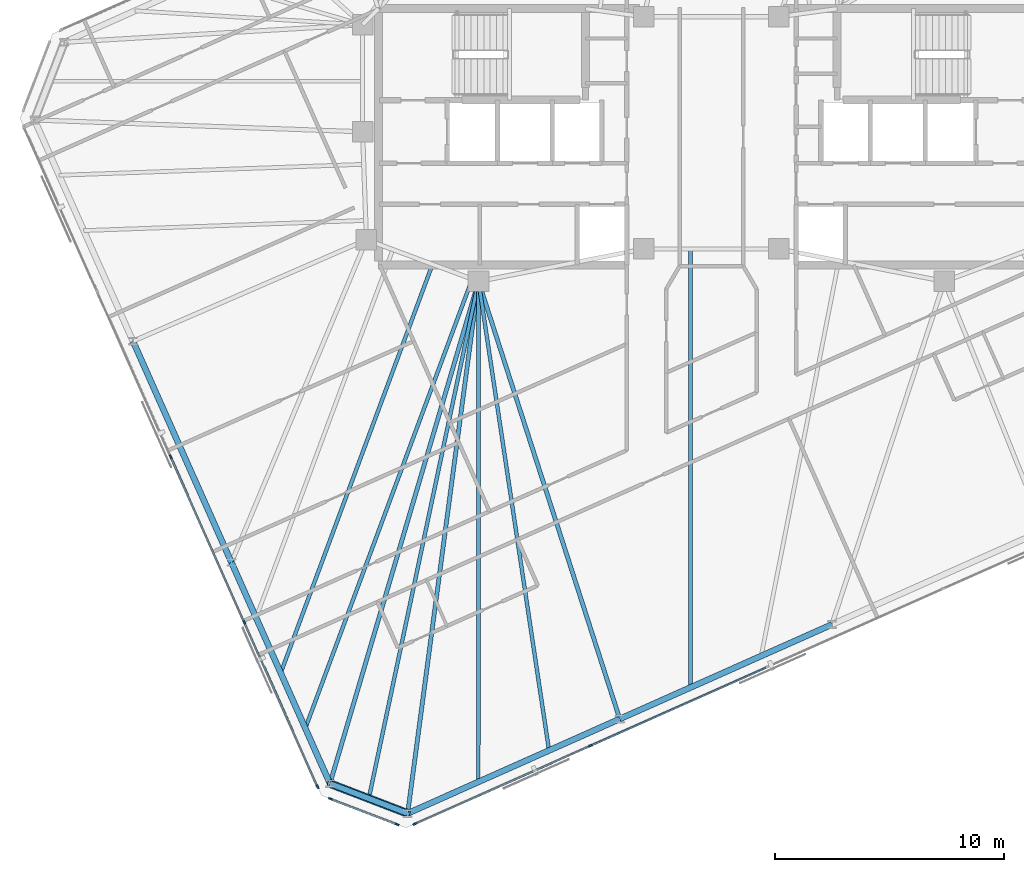
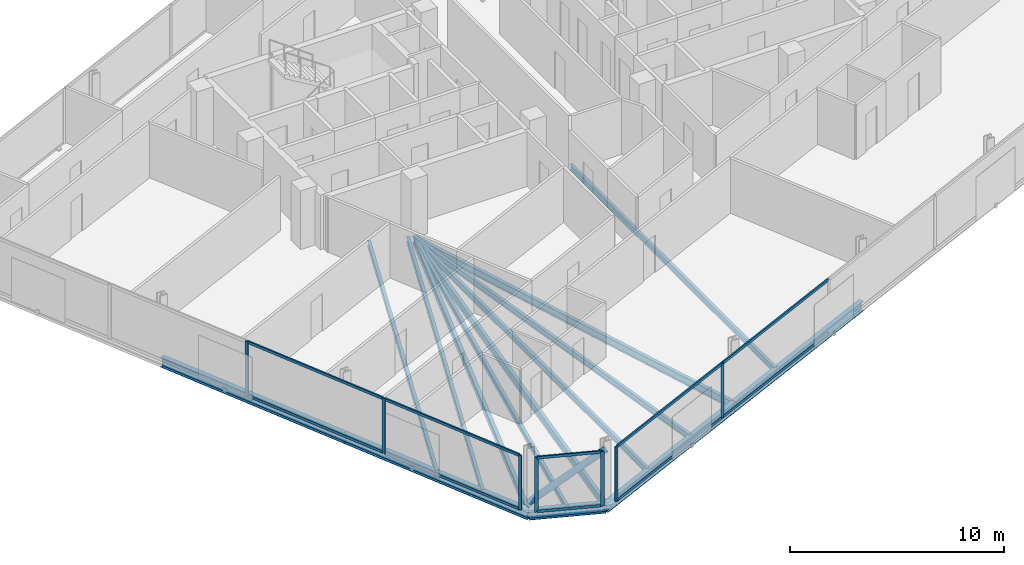
# One storey, part 5 of 18: 18 members, 14 beams, 3 elements without a shape of their own.
"""IFC4 building model written with IfcOpenShell, lengths in metres."""

from ifc_helpers import new_model, si_unit, direction, frame, origin, origin_2d, place, context, subcontext, project, spatial, rectangle, hollow_circle, i_section, extrude, material, material_profile, profile_set, type_object, element, aggregate, save


model = new_model("IFC4")

# Units and contexts
model_context = context("Model", 3, precision=1e-05, world=origin(), true_north=direction((0.0, 1.0)))
body_context = subcontext(model_context, "Body", "Model", "MODEL_VIEW")
ifc_project = project(units=[si_unit("LENGTHUNIT", "METRE"), si_unit("AREAUNIT", "SQUARE_METRE"), si_unit("VOLUMEUNIT", "CUBIC_METRE"), si_unit("PLANEANGLEUNIT", "RADIAN"), si_unit("MASSUNIT", "GRAM", prefix="KILO")], contexts=[model_context])

# Site, building, storey
site_placement = place(None, origin())
site = spatial("IfcSite", under=ifc_project, at=site_placement, CompositionType="ELEMENT")
building_placement = place(site_placement, origin())
building = spatial("IfcBuilding", under=site, at=building_placement, Name="Menara Jurai Vektor", CompositionType="ELEMENT")
storey_placement = place(building_placement, frame((0.0, 0.0, 285.25)))
storey = spatial("IfcBuildingStorey", under=building, at=storey_placement, Name="L76", CompositionType="ELEMENT", Elevation=285.25)

# Curtain wall, members
ifc_material_1 = material(Name="Anodised Pale Aluminium & Low-E Double Glazing", Category="aluminium")
curtain_wall_type = type_object("IfcCurtainWallType", Name="CW-BLK5", PredefinedType="NOTDEFINED", material=ifc_material_1)
curtain_wall_1_placement = place(storey_placement, origin())
curtain_wall_1 = element("IfcCurtainWall", 1, at=curtain_wall_1_placement, inside=storey, type_object=curtain_wall_type, Name="Unitised Curtain Wall L76 F01", PredefinedType="NOTDEFINED")
ifc_material_2 = material(Name="Anodised Pale Aluminium Mullion", Category="aluminium")
ifc_material_profile_1 = material_profile(ifc_material_2, rectangle(XDim=0.074951171875, YDim=0.175048828125, at=origin_2d()), Name="ALU MUL 75x175")
ifc_profile_set_1 = profile_set([ifc_material_profile_1], Name="Anodised Pale Aluminium Mullion")
member_type_1 = type_object("IfcMemberType", Name="CW-BLK5-MUL", PredefinedType="MULLION", material=ifc_profile_set_1)
member_1_placement = place(storey_placement, frame((-12.96875, -30.04052734375, 0.0), z_axis=(0.0, 0.0, 1.0), x_axis=(-0.406735498684, 0.913545967158, 0.0)))
member_1 = element("IfcMember", 2, at=member_1_placement, type_object=member_type_1, Name="CW-05 mullion 1", PredefinedType="MULLION", context=body_context, shape_type="SweptSolid", body=[
    extrude(rectangle(XDim=0.074951171875, YDim=0.175048828125, at=origin_2d()), origin(), (0.0, 0.0, 1.0), 3.125),
])
member_2_placement = place(storey_placement, frame((-5.292724609375, -26.623046875, 0.0), z_axis=(0.0, 0.0, 1.0), x_axis=(-0.406735498684, 0.913545967158, 0.0)))
member_2 = element("IfcMember", 3, at=member_2_placement, type_object=member_type_1, Name="CW-05 mullion 2", PredefinedType="MULLION", context=body_context, shape_type="SweptSolid", body=[
    extrude(rectangle(XDim=0.074951171875, YDim=0.175048828125, at=origin_2d()), origin(), (0.0, 0.0, 1.0), 3.125),
])

curtain_wall_2_placement = place(storey_placement, origin())
curtain_wall_2 = element("IfcCurtainWall", 4, at=curtain_wall_2_placement, inside=storey, type_object=curtain_wall_type, Name="Unitised Curtain Wall L76 F07", PredefinedType="NOTDEFINED")
member_3_placement = place(storey_placement, frame((-23.635986328125, -13.991943359375, 0.0), z_axis=(0.0, 0.0, 1.0), x_axis=(0.913546127706, 0.406735138086, 0.0)))
member_3 = element("IfcMember", 5, at=member_3_placement, type_object=member_type_1, Name="CW-05 mullion 3", PredefinedType="MULLION", context=body_context, shape_type="SweptSolid", body=[
    extrude(rectangle(XDim=0.074951171875, YDim=0.175048828125, at=origin_2d()), origin(), (0.0, 0.0, 1.0), 3.125),
])
member_4_placement = place(storey_placement, frame((-20.418701171875, -21.21826171875, 0.0), z_axis=(0.0, 0.0, 1.0), x_axis=(0.913546127706, 0.406735138086, 0.0)))
member_4 = element("IfcMember", 6, at=member_4_placement, type_object=member_type_1, Name="CW-05 mullion 4", PredefinedType="MULLION", context=body_context, shape_type="SweptSolid", body=[
    extrude(rectangle(XDim=0.074951171875, YDim=0.175048828125, at=origin_2d()), origin(), (0.0, 0.0, 1.0), 3.125),
])
member_5_placement = place(storey_placement, frame((-17.216796875, -28.41015625, 0.0), z_axis=(0.0, 0.0, 1.0), x_axis=(0.913546127706, 0.406735138086, 0.0)))
member_5 = element("IfcMember", 7, at=member_5_placement, type_object=member_type_1, Name="CW-05 mullion 5", PredefinedType="MULLION", context=body_context, shape_type="SweptSolid", body=[
    extrude(rectangle(XDim=0.074951171875, YDim=0.175048828125, at=origin_2d()), origin(), (0.0, 0.0, 1.0), 3.125),
])

curtain_wall_3_placement = place(storey_placement, origin())
curtain_wall_3 = element("IfcCurtainWall", 8, at=curtain_wall_3_placement, inside=storey, type_object=curtain_wall_type, Name="Unitised Curtain Wall L76 F08", PredefinedType="NOTDEFINED")
member_6_placement = place(storey_placement, frame((-16.656982421875, -28.94091796875, 0.0), z_axis=(0.0, 0.0, 1.0), x_axis=(0.358373766287, 0.933578193639, 0.0)))
member_6 = element("IfcMember", 9, at=member_6_placement, type_object=member_type_1, Name="CW-05 mullion 1", PredefinedType="MULLION", context=body_context, shape_type="SweptSolid", body=[
    extrude(rectangle(XDim=0.074951171875, YDim=0.175048828125, at=origin_2d()), origin(), (0.0, 0.0, 1.0), 3.125),
])
member_7_placement = place(storey_placement, frame((-13.739990234375, -30.060791015625, 0.0), z_axis=(0.0, 0.0, 1.0), x_axis=(0.358373766287, 0.933578193639, 0.0)))
member_7 = element("IfcMember", 10, at=member_7_placement, type_object=member_type_1, Name="CW-05 mullion 2", PredefinedType="MULLION", context=body_context, shape_type="SweptSolid", body=[
    extrude(rectangle(XDim=0.074951171875, YDim=0.175048828125, at=origin_2d()), origin(), (0.0, 0.0, 1.0), 3.125),
])

# Member
ifc_material_3 = material(Name="Anodised Pale Aluminium Transom", Category="aluminium")
ifc_material_profile_2 = material_profile(ifc_material_3, rectangle(XDim=0.074951171875, YDim=0.155029296875, at=origin_2d()), Name="ALU TRN 75x155")
ifc_profile_set_2 = profile_set([ifc_material_profile_2], Name="Anodised Pale Aluminium Transom")
member_type_2 = type_object("IfcMemberType", Name="CW-BLK5-TRN", PredefinedType="USERDEFINED", material=ifc_profile_set_2)
member_8_placement = place(storey_placement, frame((-12.9345703125, -30.025390625, 0.03759765625), z_axis=(0.913542963736, 0.406742244436, 0.0), x_axis=(-0.406742244436, 0.913542963736, 0.0)))
member_8 = element("IfcMember", 11, at=member_8_placement, type_object=member_type_2, Name="CW-05 transom 1.1", ObjectType="TRANSOM", PredefinedType="USERDEFINED", context=body_context, shape_type="SweptSolid", body=[
    extrude(rectangle(XDim=0.074951171875, YDim=0.155029296875, at=origin_2d()), origin(), (0.0, 0.0, 1.0), 8.32763671875),
])

member_9_placement = place(storey_placement, frame((-12.9345703125, -30.025390625, 3.08740234375), z_axis=(0.913542963736, 0.406742244436, 0.0), x_axis=(-0.406742244436, 0.913542963736, 0.0)))
member_9 = element("IfcMember", 12, at=member_9_placement, type_object=member_type_2, Name="CW-05 transom 1.2", ObjectType="TRANSOM", PredefinedType="USERDEFINED", context=body_context, shape_type="SweptSolid", body=[
    extrude(rectangle(XDim=0.074951171875, YDim=0.155029296875, at=origin_2d()), origin(), (0.0, 0.0, 1.0), 8.32763671875),
])

member_10_placement = place(storey_placement, frame((-5.25830078125, -26.60791015625, 0.03759765625), z_axis=(0.913541747007, 0.406744977198, 0.0), x_axis=(-0.406744977198, 0.913541747007, 0.0)))
member_10 = element("IfcMember", 13, at=member_10_placement, type_object=member_type_2, Name="CW-05 transom 2.1", ObjectType="TRANSOM", PredefinedType="USERDEFINED", context=body_context, shape_type="SweptSolid", body=[
    extrude(rectangle(XDim=0.074951171875, YDim=0.155029296875, at=origin_2d()), origin(), (0.0, 0.0, 1.0), 8.36474609375),
])

member_11_placement = place(storey_placement, frame((-5.25830078125, -26.60791015625, 3.08740234375), z_axis=(0.913541747007, 0.406744977198, 0.0), x_axis=(-0.406744977198, 0.913541747007, 0.0)))
member_11 = element("IfcMember", 14, at=member_11_placement, type_object=member_type_2, Name="CW-05 transom 2.2", ObjectType="TRANSOM", PredefinedType="USERDEFINED", context=body_context, shape_type="SweptSolid", body=[
    extrude(rectangle(XDim=0.074951171875, YDim=0.155029296875, at=origin_2d()), origin(), (0.0, 0.0, 1.0), 8.36474609375),
])

aggregate(curtain_wall_1, [member_1, member_2, member_8, member_9, member_10, member_11])

member_12_placement = place(storey_placement, frame((-23.620849609375, -14.0263671875, 0.03759765625), z_axis=(0.40674264085, -0.913542787238, 0.0), x_axis=(0.913542787238, 0.40674264085, 0.0)))
member_12 = element("IfcMember", 15, at=member_12_placement, type_object=member_type_2, Name="CW-05 transom 3.1", ObjectType="TRANSOM", PredefinedType="USERDEFINED", context=body_context, shape_type="SweptSolid", body=[
    extrude(rectangle(XDim=0.074951171875, YDim=0.155029296875, at=origin_2d()), origin(), (0.0, 0.0, 1.0), 7.8349609375),
])

member_13_placement = place(storey_placement, frame((-23.620849609375, -14.0263671875, 3.08740234375), z_axis=(0.40674264085, -0.913542787238, 0.0), x_axis=(0.913542787238, 0.40674264085, 0.0)))
member_13 = element("IfcMember", 16, at=member_13_placement, type_object=member_type_2, Name="CW-05 transom 3.2", ObjectType="TRANSOM", PredefinedType="USERDEFINED", context=body_context, shape_type="SweptSolid", body=[
    extrude(rectangle(XDim=0.074951171875, YDim=0.155029296875, at=origin_2d()), origin(), (0.0, 0.0, 1.0), 7.8349609375),
])

member_14_placement = place(storey_placement, frame((-20.403564453125, -21.25244140625, 0.03759765625), z_axis=(0.406751345283, -0.913538911656, 0.0), x_axis=(0.913538911656, 0.406751345283, 0.0)))
member_14 = element("IfcMember", 17, at=member_14_placement, type_object=member_type_2, Name="CW-05 transom 4.1", ObjectType="TRANSOM", PredefinedType="USERDEFINED", context=body_context, shape_type="SweptSolid", body=[
    extrude(rectangle(XDim=0.074951171875, YDim=0.155029296875, at=origin_2d()), origin(), (0.0, 0.0, 1.0), 7.79736328125),
])

member_15_placement = place(storey_placement, frame((-20.403564453125, -21.25244140625, 3.08740234375), z_axis=(0.406751345283, -0.913538911656, 0.0), x_axis=(0.913538911656, 0.406751345283, 0.0)))
member_15 = element("IfcMember", 18, at=member_15_placement, type_object=member_type_2, Name="CW-05 transom 4.2", ObjectType="TRANSOM", PredefinedType="USERDEFINED", context=body_context, shape_type="SweptSolid", body=[
    extrude(rectangle(XDim=0.074951171875, YDim=0.155029296875, at=origin_2d()), origin(), (0.0, 0.0, 1.0), 7.79736328125),
])

aggregate(curtain_wall_2, [member_3, member_4, member_5, member_12, member_13, member_14, member_15])

member_16_placement = place(storey_placement, frame((-16.6220703125, -28.95458984375, 0.03759765625), z_axis=(0.933597094911, -0.358324523823, 0.0), x_axis=(0.358324523823, 0.933597094911, 0.0)))
member_16 = element("IfcMember", 19, at=member_16_placement, type_object=member_type_2, Name="CW-05 transom 1.1", ObjectType="TRANSOM", PredefinedType="USERDEFINED", context=body_context, shape_type="SweptSolid", body=[
    extrude(rectangle(XDim=0.074951171875, YDim=0.155029296875, at=origin_2d()), origin(), (0.0, 0.0, 1.0), 3.049560546875),
])

member_17_placement = place(storey_placement, frame((-16.6220703125, -28.95458984375, 3.08740234375), z_axis=(0.933597094911, -0.358324523823, 0.0), x_axis=(0.358324523823, 0.933597094911, 0.0)))
member_17 = element("IfcMember", 20, at=member_17_placement, type_object=member_type_2, Name="CW-05 transom 1.2", ObjectType="TRANSOM", PredefinedType="USERDEFINED", context=body_context, shape_type="SweptSolid", body=[
    extrude(rectangle(XDim=0.074951171875, YDim=0.155029296875, at=origin_2d()), origin(), (0.0, 0.0, 1.0), 3.049560546875),
])

aggregate(curtain_wall_3, [member_6, member_7, member_16, member_17])

# Beams
ifc_material_4 = material(Name="Steel S355", Category="steel")
ifc_material_profile_3 = material_profile(ifc_material_4, i_section(OverallWidth=0.18505859375, OverallDepth=0.429931640625, WebThickness=0.010986328125, FlangeThickness=0.01806640625, at=origin_2d()), Name="PG 430x185x76")
ifc_profile_set_3 = profile_set([ifc_material_profile_3], Name="Steel S355")
beam_type_1 = type_object("IfcBeamType", Name="STR-BM-430", PredefinedType="BEAM", material=ifc_profile_set_3)
beam_1_placement = place(storey_placement, frame((-13.279541015625, -29.576904296875, -0.43994140625), z_axis=(0.132109192855, 0.991235169454, 0.0), x_axis=(-0.991235169454, 0.132109192855, 0.0)))
element("IfcBeam", 21, at=beam_1_placement, inside=storey, type_object=beam_type_1, Name="Radial Floor Girder L76-S1", PredefinedType="BEAM", context=body_context, shape_type="SweptSolid", body=[
    extrude(i_section(OverallWidth=0.18505859375, OverallDepth=0.429931640625, WebThickness=0.010986328125, FlangeThickness=0.01806640625, at=origin_2d()), origin(), (0.0, 0.0, 1.0), 23.46240234375),
])
beam_2_placement = place(storey_placement, frame((-4.006103515625, -25.4482421875, -0.43994140625), z_axis=(-0.307158217721, 0.95165846252, 0.0), x_axis=(-0.95165846252, -0.307158217721, 0.0)))
element("IfcBeam", 22, at=beam_2_placement, inside=storey, type_object=beam_type_1, Name="Radial Floor Girder L76-S2", PredefinedType="BEAM", context=body_context, shape_type="SweptSolid", body=[
    extrude(i_section(OverallWidth=0.18505859375, OverallDepth=0.429931640625, WebThickness=0.010986328125, FlangeThickness=0.01806640625, at=origin_2d()), origin(), (0.0, 0.0, 1.0), 20.099853515625),
])
beam_3_placement = place(storey_placement, frame((-16.675537109375, -28.2734375, -0.43994140625), z_axis=(0.283723047838, 0.958906268686, 0.0), x_axis=(-0.958906268686, 0.283723047838, 0.0)))
element("IfcBeam", 23, at=beam_3_placement, inside=storey, type_object=beam_type_1, Name="Radial Floor Girder L76-W4", PredefinedType="BEAM", context=body_context, shape_type="SweptSolid", body=[
    extrude(i_section(OverallWidth=0.18505859375, OverallDepth=0.429931640625, WebThickness=0.010986328125, FlangeThickness=0.01806640625, at=origin_2d()), origin(), (0.0, 0.0, 1.0), 22.894287109375),
])

# Member
ifc_material_5 = material(Name="Steel S460", Category="steel")
ifc_material_profile_4 = material_profile(ifc_material_5, hollow_circle(Radius=0.177734375, WallThickness=0.01611328125, at=origin_2d()), Name="CHS 355.6x16")
ifc_profile_set_4 = profile_set([ifc_material_profile_4], Name="Steel S460")
member_type_3 = type_object("IfcMemberType", Name="STR-BR-356", PredefinedType="BRACE", material=ifc_profile_set_4)
member_18_placement = place(storey_placement, frame((-16.675537109375, -28.2734375, 0.14990234375), z_axis=(0.757054002265, -0.290575939475, 0.585179340931), x_axis=(0.358335850414, 0.933592747566, 0.0)))
element("IfcMember", 24, at=member_18_placement, inside=storey, type_object=member_type_3, Name="Exoskeleton Corner Brace L76-4", PredefinedType="BRACE", context=body_context, shape_type="SweptSolid", body=[
    extrude(hollow_circle(Radius=0.177734375, WallThickness=0.01611328125, at=origin_2d()), origin(), (0.0, 0.0, 1.0), 4.48583984375),
])

# Beams
ifc_material_profile_5 = material_profile(ifc_material_4, i_section(OverallWidth=0.1650390625, OverallDepth=0.330078125, WebThickness=0.009033203125, FlangeThickness=0.013916015625, at=origin_2d()), Name="PG 330x165x46")
ifc_profile_set_5 = profile_set([ifc_material_profile_5], Name="Steel S355")
beam_type_2 = type_object("IfcBeamType", Name="STR-JS-330", PredefinedType="JOIST", material=ifc_profile_set_5)
beam_4_placement = place(storey_placement, frame((-10.188232421875, -28.20068359375, -0.389892578125), z_axis=(0.000379366876, 0.99999992804, 0.0), x_axis=(-0.99999992804, 0.000379366876, 0.0)))
element("IfcBeam", 25, at=beam_4_placement, inside=storey, type_object=beam_type_2, Name="Radial Secondary Floor Joist L76-JS01", PredefinedType="JOIST", context=body_context, shape_type="SweptSolid", body=[
    extrude(i_section(OverallWidth=0.1650390625, OverallDepth=0.330078125, WebThickness=0.009033203125, FlangeThickness=0.013916015625, at=origin_2d()), origin(), (0.0, 0.0, 1.0), 21.880615234375),
])
beam_5_placement = place(storey_placement, frame((-7.09716796875, -26.824462890625, -0.389892578125), z_axis=(-0.148675540239, 0.988886031722, 0.0), x_axis=(-0.988886031722, -0.148675540239, 0.0)))
element("IfcBeam", 26, at=beam_5_placement, inside=storey, type_object=beam_type_2, Name="Radial Secondary Floor Joist L76-JS02", PredefinedType="JOIST", context=body_context, shape_type="SweptSolid", body=[
    extrude(i_section(OverallWidth=0.1650390625, OverallDepth=0.330078125, WebThickness=0.009033203125, FlangeThickness=0.013916015625, at=origin_2d()), origin(), (0.0, 0.0, 1.0), 20.73486328125),
])
beam_6_placement = place(storey_placement, frame((-0.914794921875, -24.072021484375, -0.389892578125), z_axis=(0.0, 1.0, 0.0), x_axis=(-1.0, 0.0, 0.0)))
element("IfcBeam", 27, at=beam_6_placement, inside=storey, type_object=beam_type_2, Name="Radial Secondary Floor Joist L76-JS03", PredefinedType="JOIST", context=body_context, shape_type="SweptSolid", body=[
    extrude(i_section(OverallWidth=0.1650390625, OverallDepth=0.330078125, WebThickness=0.009033203125, FlangeThickness=0.013916015625, at=origin_2d()), origin(), (0.0, 0.0, 1.0), 19.172119140625),
])
beam_7_placement = place(storey_placement, frame((-18.828125, -23.4384765625, -0.389892578125), z_axis=(0.348177845571, 0.937428497462, 0.0), x_axis=(-0.937428497462, 0.348177845571, 0.0)))
element("IfcBeam", 28, at=beam_7_placement, inside=storey, type_object=beam_type_2, Name="Radial Secondary Floor Joist L76-JS29", PredefinedType="JOIST", context=body_context, shape_type="SweptSolid", body=[
    extrude(i_section(OverallWidth=0.1650390625, OverallDepth=0.330078125, WebThickness=0.009033203125, FlangeThickness=0.013916015625, at=origin_2d()), origin(), (0.0, 0.0, 1.0), 19.05859375),
])
beam_8_placement = place(storey_placement, frame((-17.751953125, -25.85595703125, -0.389892578125), z_axis=(0.348185651823, 0.937425598042, 0.0), x_axis=(-0.937425598042, 0.348185651823, 0.0)))
element("IfcBeam", 29, at=beam_8_placement, inside=storey, type_object=beam_type_2, Name="Radial Secondary Floor Joist L76-JS30", PredefinedType="JOIST", context=body_context, shape_type="SweptSolid", body=[
    extrude(i_section(OverallWidth=0.1650390625, OverallDepth=0.330078125, WebThickness=0.009033203125, FlangeThickness=0.013916015625, at=origin_2d()), origin(), (0.0, 0.0, 1.0), 20.949951171875),
])
beam_9_placement = place(storey_placement, frame((-14.9775390625, -28.92529296875, -0.389892578125), z_axis=(0.207610208592, 0.978211634202, 0.0), x_axis=(-0.978211634202, 0.207610208592, 0.0)))
element("IfcBeam", 30, at=beam_9_placement, inside=storey, type_object=beam_type_2, Name="Radial Secondary Floor Joist L76-JS31", PredefinedType="JOIST", context=body_context, shape_type="SweptSolid", body=[
    extrude(i_section(OverallWidth=0.1650390625, OverallDepth=0.330078125, WebThickness=0.009033203125, FlangeThickness=0.013916015625, at=origin_2d()), origin(), (0.0, 0.0, 1.0), 23.108642578125),
])
ifc_material_profile_6 = material_profile(ifc_material_4, i_section(OverallWidth=0.260009765625, OverallDepth=0.570068359375, WebThickness=0.013916015625, FlangeThickness=0.02392578125, at=origin_2d()), Name="PG 570x260x145")
ifc_profile_set_6 = profile_set([ifc_material_profile_6], Name="Steel S355")
beam_type_3 = type_object("IfcBeamType", Name="STR-SP-570", PredefinedType="SPANDREL", material=ifc_profile_set_6)
beam_10_placement = place(storey_placement, frame((-13.279541015625, -29.576904296875, -0.510009765625), z_axis=(0.913550519143, 0.406725274569, 0.0), x_axis=(-0.406725274569, 0.913550519143, 0.0)))
element("IfcBeam", 31, at=beam_10_placement, inside=storey, type_object=beam_type_3, Name="Exoskeleton Spandrel Beam L76-01", PredefinedType="SPANDREL", context=body_context, shape_type="SweptSolid", body=[
    extrude(i_section(OverallWidth=0.260009765625, OverallDepth=0.570068359375, WebThickness=0.013916015625, FlangeThickness=0.02392578125, at=origin_2d()), origin(), (0.0, 0.0, 1.0), 10.15087890625),
])
beam_11_placement = place(storey_placement, frame((-4.006103515625, -25.4482421875, -0.510009765625), z_axis=(0.913545561407, 0.406736410017, 0.0), x_axis=(-0.406736410017, 0.913545561407, 0.0)))
element("IfcBeam", 32, at=beam_11_placement, inside=storey, type_object=beam_type_3, Name="Exoskeleton Spandrel Beam L76-02", PredefinedType="SPANDREL", context=body_context, shape_type="SweptSolid", body=[
    extrude(i_section(OverallWidth=0.260009765625, OverallDepth=0.570068359375, WebThickness=0.013916015625, FlangeThickness=0.02392578125, at=origin_2d()), origin(), (0.0, 0.0, 1.0), 10.1513671875),
])
for number, where, z_axis, x_axis, name in (
    (33, (-25.286376953125, -8.933349609375, -0.510009765625), (0.406744000616, -0.913542181819, 0.0), (0.913542181819, 0.406744000616, 0.0), "Exoskeleton Spandrel Beam L76-18"),
    (34, (-20.98095703125, -18.603271484375, -0.510009765625), (0.40673543049, -0.91354599752, 0.0), (0.91354599752, 0.40673543049, 0.0), "Exoskeleton Spandrel Beam L76-19"),
):
    element("IfcBeam", number, at=place(storey_placement, frame(where, z_axis=z_axis, x_axis=x_axis)), inside=storey, type_object=beam_type_3, Name=name, PredefinedType="SPANDREL", context=body_context, shape_type="SweptSolid", body=[
        extrude(i_section(OverallWidth=0.260009765625, OverallDepth=0.570068359375, WebThickness=0.013916015625, FlangeThickness=0.02392578125, at=origin_2d()), origin(), (0.0, 0.0, 1.0), 10.585205078125),
    ])
beam_12_placement = place(storey_placement, frame((-16.675537109375, -28.2734375, -0.510009765625), z_axis=(0.933592747566, -0.358335850414, 0.0), x_axis=(0.358335850414, 0.933592747566, 0.0)))
element("IfcBeam", 35, at=beam_12_placement, inside=storey, type_object=beam_type_3, Name="Exoskeleton Spandrel Beam L76-20", PredefinedType="SPANDREL", context=body_context, shape_type="SweptSolid", body=[
    extrude(i_section(OverallWidth=0.260009765625, OverallDepth=0.570068359375, WebThickness=0.013916015625, FlangeThickness=0.02392578125, at=origin_2d()), origin(), (0.0, 0.0, 1.0), 3.637451171875),
])

save(model, "model.ifc")
